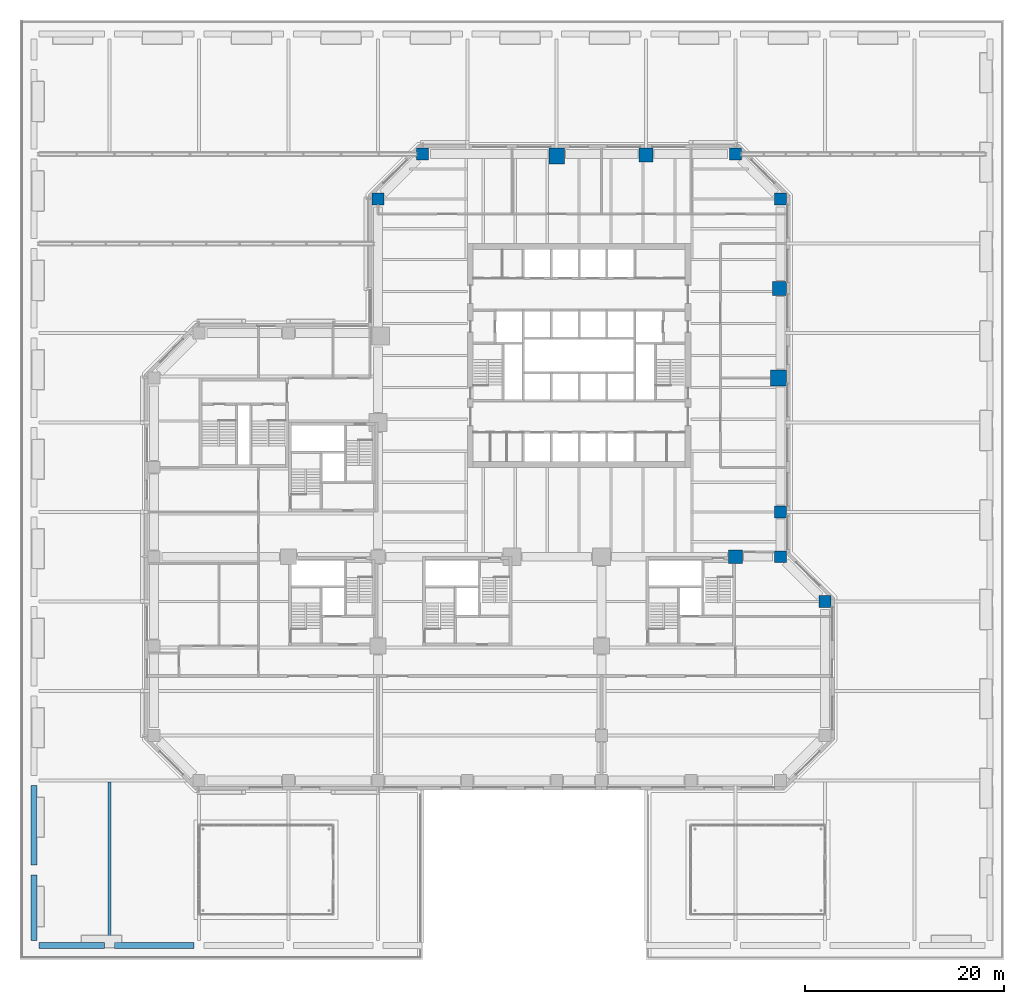
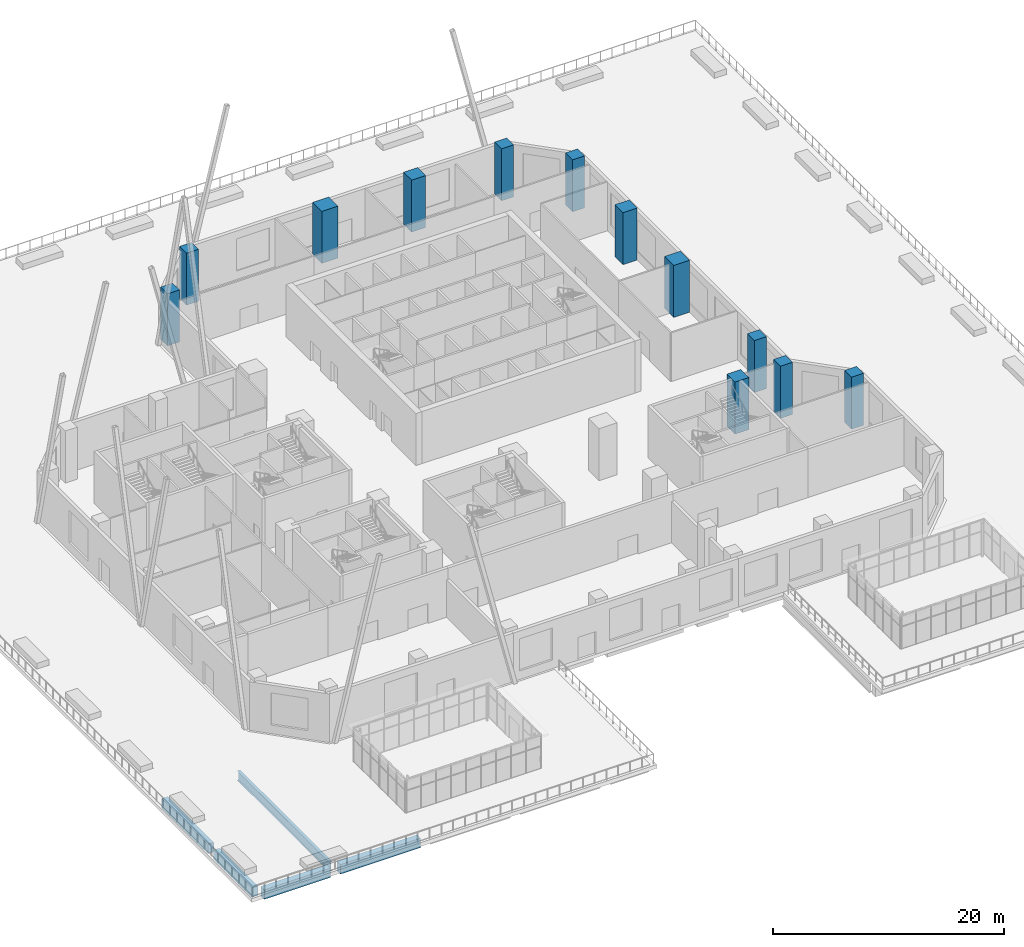
# One storey, part 4 of 33: 12 columns, 5 beams.
"""IFC4 building model written with IfcOpenShell, lengths in metres."""

from ifc_helpers import new_model, si_unit, direction, frame, origin, origin_2d, place, context, subcontext, project, spatial, rectangle, i_section, extrude, material, material_profile, profile_set, type_object, element, save


model = new_model("IFC4")

# Units and contexts
model_context = context("Model", 3, precision=1e-05, world=origin(), true_north=direction((0.0, 1.0)))
body_context = subcontext(model_context, "Body", "Model", "MODEL_VIEW")
ifc_project = project(units=[si_unit("LENGTHUNIT", "METRE"), si_unit("AREAUNIT", "SQUARE_METRE"), si_unit("VOLUMEUNIT", "CUBIC_METRE"), si_unit("PLANEANGLEUNIT", "RADIAN"), si_unit("MASSUNIT", "GRAM", prefix="KILO")], contexts=[model_context])

# Site, building, storey
site_placement = place(None, origin())
site = spatial("IfcSite", under=ifc_project, at=site_placement, CompositionType="ELEMENT")
building_placement = place(site_placement, origin())
building = spatial("IfcBuilding", under=site, at=building_placement, Name="Quoin Convention Tower", CompositionType="ELEMENT")
storey_placement = place(building_placement, frame((0.0, 0.0, 8.0)))
storey = spatial("IfcBuildingStorey", under=building, at=storey_placement, Name="L01", CompositionType="ELEMENT", Elevation=8.0)

# Columns
ifc_material_1 = material(Name="Concrete C100 (100 MPa)", Category="concrete")
ifc_material_profile_1 = material_profile(ifc_material_1, rectangle(XDim=1.199951171875, YDim=1.199951171875, at=origin_2d()), Name="RC 1200x1200")
ifc_profile_set_1 = profile_set([ifc_material_profile_1], Name="Concrete C100 (100 MPa)")
column_type_1 = type_object("IfcColumnType", Name="RC 1200x1200 C100", PredefinedType="COLUMN", material=ifc_profile_set_1)
for number, where, z_axis, x_axis, name in (
    (1, (81.0, 36.0, 0.0), (0.0, 0.0, 1.0), (1.0, 0.0, 0.0), "col-L01-81000_36000"),
    (2, (76.5, 40.5, 0.0), (0.0, 0.0, 1.0), (1.0, 0.0, 0.0), "col-L01-76500_40500"),
    (3, (76.5, 45.0, 0.0), (0.0, 0.0, 1.0), (1.0, 0.0, 0.0), "col-L01-76500_45000"),
    (4, (36.0, 76.5, 0.0), (0.0, 0.0, 1.0), (1.0, 0.0, 0.0), "col-L01-36000_76500"),
    (5, (76.5, 76.5, 0.0), (0.0, 0.0, 1.0), (1.0, 0.0, 0.0), "col-L01-76500_76500"),
    (6, (40.5, 81.0, 0.0), (0.0, 0.0, 1.0), (1.0, 0.0, 0.0), "col-L01-40500_81000"),
    (7, (72.0, 81.0, 0.0), (0.0, 0.0, 1.0), (1.0, 0.0, 0.0), "col-L01-72000_81000"),
):
    element("IfcColumn", number, at=place(storey_placement, frame(where, z_axis=z_axis, x_axis=x_axis)), inside=storey, type_object=column_type_1, Name=name, PredefinedType="COLUMN", context=body_context, shape_type="SweptSolid", body=[
        extrude(rectangle(XDim=1.199951171875, YDim=1.199951171875, at=origin_2d()), origin(), (0.0, 0.0, 1.0), 5.5),
    ])
ifc_material_profile_2 = material_profile(ifc_material_1, rectangle(XDim=1.39990234375, YDim=1.39990234375, at=origin_2d()), Name="RC 1400x1400")
ifc_profile_set_2 = profile_set([ifc_material_profile_2], Name="Concrete C100 (100 MPa)")
column_type_2 = type_object("IfcColumnType", Name="RC 1400x1400 C100", PredefinedType="COLUMN", material=ifc_profile_set_2)
for number, where, z_axis, x_axis, name in (
    (8, (72.0, 40.5, 0.0), (0.0, 0.0, 1.0), (1.0, 0.0, 0.0), "web-L01-72000_40500"),
    (9, (76.39990234375, 67.5, 0.0), (0.0, 0.0, 1.0), (1.0, 0.0, 0.0), "col-L01-76500_67500"),
    (10, (63.0, 80.89990234375, 0.0), (0.0, 0.0, 1.0), (1.0, 0.0, 0.0), "col-L01-63000_81000"),
):
    element("IfcColumn", number, at=place(storey_placement, frame(where, z_axis=z_axis, x_axis=x_axis)), inside=storey, type_object=column_type_2, Name=name, PredefinedType="COLUMN", context=body_context, shape_type="SweptSolid", body=[
        extrude(rectangle(XDim=1.39990234375, YDim=1.39990234375, at=origin_2d()), origin(), (0.0, 0.0, 1.0), 5.5),
    ])
ifc_material_profile_3 = material_profile(ifc_material_1, rectangle(XDim=1.60009765625, YDim=1.60009765625, at=origin_2d()), Name="RC 1600x1600")
ifc_profile_set_3 = profile_set([ifc_material_profile_3], Name="Concrete C100 (100 MPa)")
column_type_3 = type_object("IfcColumnType", Name="RC 1600x1600 C100", PredefinedType="COLUMN", material=ifc_profile_set_3)
for number, where, z_axis, x_axis, name in (
    (11, (76.300048828125, 58.5, 0.0), (0.0, 0.0, 1.0), (1.0, 0.0, 0.0), "col-L01-76500_58500"),
    (12, (54.0, 80.800048828125, 0.0), (0.0, 0.0, 1.0), (1.0, 0.0, 0.0), "col-L01-54000_81000"),
):
    element("IfcColumn", number, at=place(storey_placement, frame(where, z_axis=z_axis, x_axis=x_axis)), inside=storey, type_object=column_type_3, Name=name, PredefinedType="COLUMN", context=body_context, shape_type="SweptSolid", body=[
        extrude(rectangle(XDim=1.60009765625, YDim=1.60009765625, at=origin_2d()), origin(), (0.0, 0.0, 1.0), 5.5),
    ])

# Beams
ifc_material_2 = material(Name="Steel Grade 300", Category="steel")
ifc_material_profile_4 = material_profile(ifc_material_2, i_section(OverallWidth=0.300048828125, OverallDepth=1.0, WebThickness=0.01611328125, FlangeThickness=0.02001953125, at=origin_2d()), Name="1000WB215")
ifc_profile_set_4 = profile_set([ifc_material_profile_4], Name="Steel Grade 300")
beam_type_1 = type_object("IfcBeamType", Name="1000WB215", PredefinedType="BEAM", material=ifc_profile_set_4)
beam_1_placement = place(storey_placement, frame((9.0, 1.89990234375, -0.909912109375), z_axis=(0.0, 1.0, 0.0), x_axis=(-1.0, 0.0, 0.0)))
element("IfcBeam", 13, at=beam_1_placement, inside=storey, type_object=beam_type_1, Name="gir-L01-deck-N9000_1900", PredefinedType="BEAM", context=body_context, shape_type="SweptSolid", body=[
    extrude(i_section(OverallWidth=0.300048828125, OverallDepth=1.0, WebThickness=0.01611328125, FlangeThickness=0.02001953125, at=origin_2d()), origin(), (0.0, 0.0, 1.0), 15.9501953125),
])
ifc_material_profile_5 = material_profile(ifc_material_1, rectangle(XDim=0.60009765625, YDim=1.0, at=origin_2d()), Name="RC 600x1000")
ifc_profile_set_5 = profile_set([ifc_material_profile_5], Name="Concrete C100 (100 MPa)")
beam_type_2 = type_object("IfcBeamType", Name="RC 600x1000 C100", PredefinedType="SPANDREL", material=ifc_profile_set_5)
beam_2_placement = place(storey_placement, frame((1.89990234375, 1.39990234375, -0.909912109375), z_axis=(1.0, 0.0, 0.0), x_axis=(0.0, 1.0, 0.0)))
element("IfcBeam", 14, at=beam_2_placement, inside=storey, type_object=beam_type_2, Name="spd-L01-edge-1400_1400-9000_1400", PredefinedType="SPANDREL", context=body_context, shape_type="SweptSolid", body=[
    extrude(rectangle(XDim=0.60009765625, YDim=1.0, at=origin_2d()), origin(), (0.0, 0.0, 1.0), 6.60009765625),
])
beam_3_placement = place(storey_placement, frame((9.5, 1.39990234375, -0.909912109375), z_axis=(1.0, 0.0, 0.0), x_axis=(0.0, 1.0, 0.0)))
element("IfcBeam", 15, at=beam_3_placement, inside=storey, type_object=beam_type_2, Name="spd-L01-edge-9000_1400-18000_1400", PredefinedType="SPANDREL", context=body_context, shape_type="SweptSolid", body=[
    extrude(rectangle(XDim=0.60009765625, YDim=1.0, at=origin_2d()), origin(), (0.0, 0.0, 1.0), 8.0),
])
beam_4_placement = place(storey_placement, frame((1.39990234375, 1.89990234375, -0.909912109375), z_axis=(0.0, 1.0, 0.0), x_axis=(-1.0, 0.0, 0.0)))
element("IfcBeam", 16, at=beam_4_placement, inside=storey, type_object=beam_type_2, Name="spd-L01-edge-1400_1400-1400_9000", PredefinedType="SPANDREL", context=body_context, shape_type="SweptSolid", body=[
    extrude(rectangle(XDim=0.60009765625, YDim=1.0, at=origin_2d()), origin(), (0.0, 0.0, 1.0), 6.60009765625),
])
beam_5_placement = place(storey_placement, frame((1.39990234375, 9.5, -0.909912109375), z_axis=(0.0, 1.0, 0.0), x_axis=(-1.0, 0.0, 0.0)))
element("IfcBeam", 17, at=beam_5_placement, inside=storey, type_object=beam_type_2, Name="spd-L01-edge-1400_9000-1400_18000", PredefinedType="SPANDREL", context=body_context, shape_type="SweptSolid", body=[
    extrude(rectangle(XDim=0.60009765625, YDim=1.0, at=origin_2d()), origin(), (0.0, 0.0, 1.0), 8.0),
])

save(model, "model.ifc")
